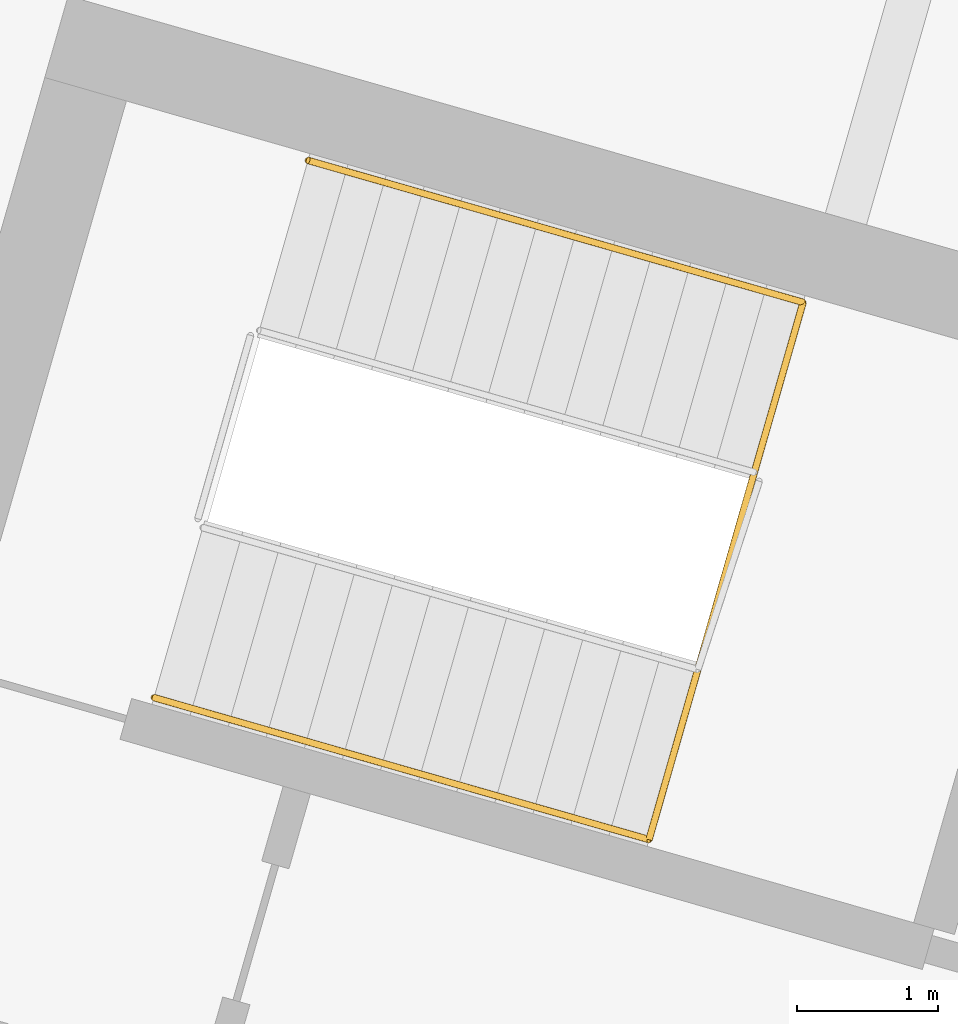
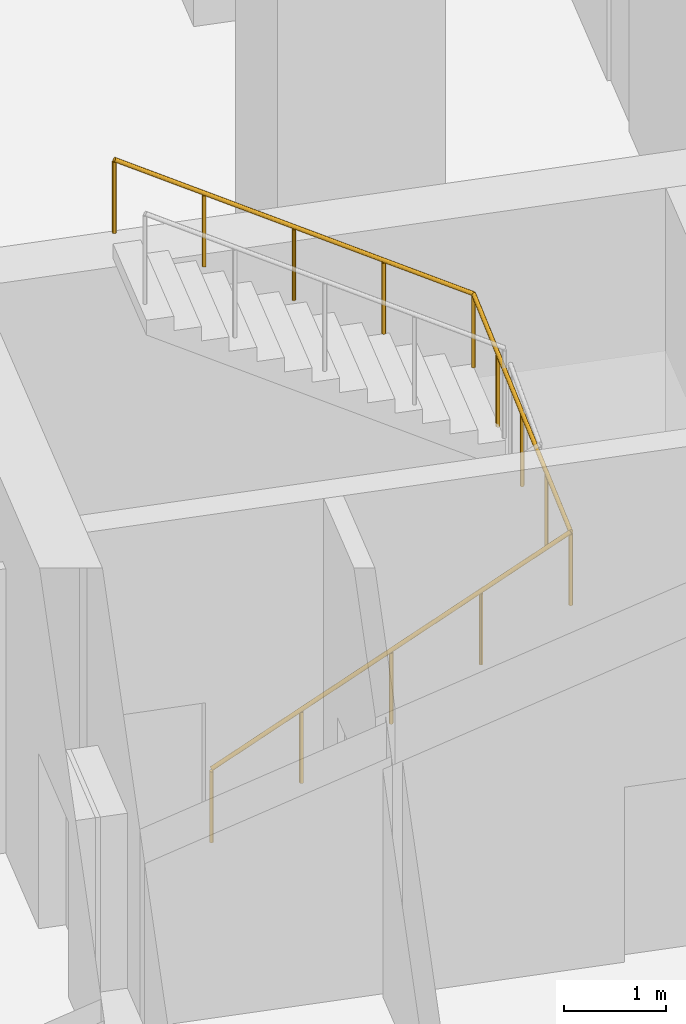
# One storey, part 13 of 13: 1 railing.
"""IFC4 building model written with IfcOpenShell, lengths in metres."""

import ifcopenshell
import ifcopenshell.guid

model = None  # the IFC model being written
_history = None  # IfcOwnerHistory: only IFC2X3 demands one
_inside = {}  # id of a spatial element -> (the spatial element, [elements in it])
_under = {}  # id of a project, library or spatial element -> (it, [spatial elements below it])
_declared = {}  # id of a project -> (the project, [libraries it declares])
_typed = {}  # id of a type object -> (the type object, [elements of that type])
_made_of = {}  # id of a material, layer set ... -> (it, [elements and type objects made of it])


def new_model(schema):
    """Start an empty IFC model of exactly this schema.

    Asked for "IFC4X3", IfcOpenShell would pick the latest addendum, in which some entities
    have other attributes; the version numbers below select the first issue.
    IFC2X3 requires an IfcOwnerHistory on every rooted entity: one is made here for all.
    """
    global model, _history
    if schema == "IFC4X3":
        model = ifcopenshell.file(schema_version=(4, 3, 0, 0))
    else:
        model = ifcopenshell.file(schema=schema)
    _inside.clear()
    _under.clear()
    _declared.clear()
    _typed.clear()
    _made_of.clear()
    _history = None
    if model.schema == "IFC2X3":
        org = make("IfcOrganization", Name="unknown")
        user = make(
            "IfcPersonAndOrganization",
            ThePerson=make("IfcPerson", FamilyName="unknown"),
            TheOrganization=org,
        )
        app = make(
            "IfcApplication",
            ApplicationDeveloper=org,
            Version="unknown",
            ApplicationFullName="unknown",
            ApplicationIdentifier="unknown",
        )
        _history = make(
            "IfcOwnerHistory",
            OwningUser=user,
            OwningApplication=app,
            ChangeAction="ADDED",
            CreationDate=0,
        )
    return model


def make(cls, **values):
    """One entity of the class cls with the attributes given. An attribute that is None is left unset."""
    return model.create_entity(
        cls, **{name: value for name, value in values.items() if value is not None}
    )


def rooted(cls, **values):
    """An entity with a GlobalId (a new one), such as an element, a storey or a relation."""
    return make(cls, GlobalId=ifcopenshell.guid.new(), OwnerHistory=_history, **values)


def si_unit(unit_type, name, prefix=None):
    """IfcSIUnit, for example si_unit("LENGTHUNIT", "METRE", prefix="MILLI")."""
    return make("IfcSIUnit", UnitType=unit_type, Prefix=prefix, Name=name)


def assignment(units):
    """IfcUnitAssignment: the units of a project."""
    return None if units is None else make("IfcUnitAssignment", Units=units)


def point(xyz):
    """IfcCartesianPoint."""
    return None if xyz is None else make("IfcCartesianPoint", Coordinates=xyz)


def direction(xyz):
    """IfcDirection."""
    return None if xyz is None else make("IfcDirection", DirectionRatios=xyz)


def frame(location, z_axis=None, x_axis=None):
    """IfcAxis2Placement3D, a coordinate frame: its origin and axes. An axis left out is left unset."""
    return make(
        "IfcAxis2Placement3D",
        Location=point(location),
        Axis=direction(z_axis),
        RefDirection=direction(x_axis),
    )


def frame_2d(location, x_axis=None):
    """IfcAxis2Placement2D, a coordinate frame in the plane: its origin and x axis."""
    return make(
        "IfcAxis2Placement2D", Location=point(location), RefDirection=direction(x_axis)
    )


def origin():
    """The frame at (0, 0, 0) with its axes left unset."""
    return frame((0.0, 0.0, 0.0))


def origin_2d():
    """The frame at (0, 0) in the plane with its x axis left unset."""
    return frame_2d((0.0, 0.0))


def place(relative_to, where):
    """IfcLocalPlacement: puts the frame where relative to a parent placement (None: the world)."""
    return make(
        "IfcLocalPlacement", PlacementRelTo=relative_to, RelativePlacement=where
    )


def context(
    kind, dimensions, precision=None, world=None, true_north=None, identifier=None
):
    """IfcGeometricRepresentationContext, for example the 3D "Model" context."""
    return make(
        "IfcGeometricRepresentationContext",
        ContextIdentifier=identifier,
        ContextType=kind,
        CoordinateSpaceDimension=dimensions,
        Precision=precision,
        WorldCoordinateSystem=world,
        TrueNorth=true_north,
    )


def subcontext(parent, identifier, kind, view, scale=None):
    """IfcGeometricRepresentationSubContext, for example "Body" below "Model"."""
    return make(
        "IfcGeometricRepresentationSubContext",
        ContextIdentifier=identifier,
        ContextType=kind,
        ParentContext=parent,
        TargetScale=scale,
        TargetView=view,
    )


def project(units=None, contexts=None):
    """IfcProject with its units and contexts."""
    return rooted(
        "IfcProject",
        Name="project",
        RepresentationContexts=contexts,
        UnitsInContext=assignment(units),
    )


def spatial(cls, under=None, at=None, **own):
    """A site, building, storey or space (cls), placed at a placement, below another one or the project."""
    s = rooted(cls, ObjectPlacement=at, **own)
    if under is not None:
        _under.setdefault(under.id(), (under, []))[1].append(s)
    return s


def profile(cls, at=None, kind="AREA", **sizes):
    """A parametric profile (cls). Its sizes go by their IFC names, for example OverallWidth=200.0."""
    return make(cls, ProfileType=kind, Position=at, **sizes)


def circle(**sizes):
    """IfcCircleProfileDef."""
    return profile("IfcCircleProfileDef", **sizes)


def extrude(swept, where, along, depth):
    """IfcExtrudedAreaSolid: the profile swept, set in the frame where, extruded along a direction by depth."""
    return make(
        "IfcExtrudedAreaSolid",
        SweptArea=swept,
        Position=where,
        ExtrudedDirection=direction(along),
        Depth=depth,
    )


def shape(context_of_items, identifier, shape_type, items):
    """IfcShapeRepresentation: the items that make up one representation, for example the "Body"."""
    return make(
        "IfcShapeRepresentation",
        ContextOfItems=context_of_items,
        RepresentationIdentifier=identifier,
        RepresentationType=shape_type,
        Items=items,
    )


def material(Name=None, Category=None):
    """IfcMaterial."""
    return make("IfcMaterial", Name=Name, Category=Category)


def made_of(thing, what):
    """Note that an element or type object is made of a material, layer set ...; save() writes the relation."""
    if what is not None:
        _made_of.setdefault(what.id(), (what, []))[1].append(thing)
    return thing


def type_object(cls, material=None, **own):
    """A type object (cls), such as IfcWallType, which elements share."""
    return made_of(rooted(cls, **own), material)


def element(
    cls,
    number,
    at=None,
    inside=None,
    cuts=None,
    type_object=None,
    material=None,
    context=None,
    identifier="Body",
    shape_type=None,
    held_by="IfcProductDefinitionShape",
    body=None,
    shapes=None,
    **own,
):
    """One element of the class cls, such as IfcWall. Its Tag is "e" and its number.

    at: its placement. inside: the storey or other place that contains it. cuts: it is an
    opening in that element (IfcRelVoidsElement). A single representation is given by context,
    identifier, shape_type and body (its items); several are given by shapes. held_by: the class
    of the entity that holds the representations. save() writes the other relations.
    """
    e = rooted(cls, Tag="e%d" % number, ObjectPlacement=at, **own)
    if body is not None:
        shapes = [shape(context, identifier, shape_type, body)]
    if shapes is not None:
        e.Representation = make(held_by, Representations=shapes)
    if inside is not None:
        _inside.setdefault(inside.id(), (inside, []))[1].append(e)
    if cuts is not None:
        rooted(
            "IfcRelVoidsElement", RelatingBuildingElement=cuts, RelatedOpeningElement=e
        )
    if type_object is not None:
        _typed.setdefault(type_object.id(), (type_object, []))[1].append(e)
    return made_of(e, material)


def aggregate(whole, parts):
    """IfcRelAggregates: a whole, such as a stair, and the parts it consists of."""
    return rooted("IfcRelAggregates", RelatingObject=whole, RelatedObjects=parts)


def save(model, path):
    """Write the relations noted so far, then the file.

    IfcRelAggregates (storeys below a building ...), IfcRelContainedInSpatialStructure (elements
    in a storey), IfcRelDefinesByType, IfcRelAssociatesMaterial and IfcRelDeclares: one each for
    every whole, place, type object, material and project.
    """
    for whole, parts in _under.values():
        aggregate(whole, parts)
    for where, things in _inside.values():
        rooted(
            "IfcRelContainedInSpatialStructure",
            RelatedElements=things,
            RelatingStructure=where,
        )
    for kind, things in _typed.values():
        rooted("IfcRelDefinesByType", RelatedObjects=things, RelatingType=kind)
    for what, things in _made_of.values():
        rooted("IfcRelAssociatesMaterial", RelatedObjects=things, RelatingMaterial=what)
    for by, libraries in _declared.values():
        rooted("IfcRelDeclares", RelatingContext=by, RelatedDefinitions=libraries)
    model.write(path)


model = new_model("IFC4")

# Units and contexts
model_context = context("Model", 3, precision=1e-05, world=origin(), true_north=direction((0.0, 1.0)))
body_context = subcontext(model_context, "Body", "Model", "MODEL_VIEW")
ifc_project = project(units=[si_unit("LENGTHUNIT", "METRE"), si_unit("AREAUNIT", "SQUARE_METRE"), si_unit("VOLUMEUNIT", "CUBIC_METRE"), si_unit("PLANEANGLEUNIT", "RADIAN"), si_unit("MASSUNIT", "GRAM", prefix="KILO")], contexts=[model_context])

# Site, building, storey
site_placement = place(None, origin())
site = spatial("IfcSite", under=ifc_project, at=site_placement, CompositionType="ELEMENT")
building_placement = place(site_placement, origin())
building = spatial("IfcBuilding", under=site, at=building_placement, Name="Binnacle Exchange Tower", CompositionType="ELEMENT")
storey_placement = place(building_placement, frame((0.0, 0.0, -4.800048828125)))
storey = spatial("IfcBuildingStorey", under=building, at=storey_placement, Name="B1", CompositionType="ELEMENT", Elevation=-4.800048828125)

# Railing
ifc_material = material(Name="Steel handrail", Category="steel")
railing_type = type_object("IfcRailingType", Name="STAIR HANDRAIL 900", PredefinedType="HANDRAIL", material=ifc_material)
railing_placement = place(storey_placement, frame((20.7421875, 55.5087890625, 0.17138671875)))
element("IfcRailing", 1, at=railing_placement, inside=storey, type_object=railing_type, Name="B1 STD1 stair handrail 1", PredefinedType="HANDRAIL", context=body_context, shape_type="SweptSolid", body=[
    extrude(circle(Radius=0.02392578125, at=origin_2d()), frame((0.0, 0.0, 0.8759765625), z_axis=(0.819773588446, -0.235103583038, 0.522204527871), x_axis=(0.27567775811, 0.961250109848, 0.0)), (0.0, 0.0, 1.0), 4.26806640625),
    extrude(circle(Radius=0.02392578125, at=origin_2d()), frame((3.498779296875, -1.00341796875, 3.1044921875), z_axis=(0.275392491312, 0.960354129458, 0.043346531144), x_axis=(-0.961257617982, 0.275651576943, 0.0)), (0.0, 0.0, 1.0), 3.953857421875),
    extrude(circle(Radius=0.02392578125, at=origin_2d()), frame((4.587646484375, 2.793701171875, 3.27587890625), z_axis=(-0.819827857836, 0.235045539202, 0.522145456763), x_axis=(-0.275598008994, -0.961272977587, 0.0)), (0.0, 0.0, 1.0), 4.26806640625),
    extrude(circle(Radius=0.02099609375, at=origin_2d()), origin(), (0.0, 0.0, 1.0), 0.851806640625),
    extrude(circle(Radius=0.02099609375, at=origin_2d()), frame((0.874755859375, -0.2509765625, 0.55712890625)), (0.0, 0.0, 1.0), 0.851806640625),
    extrude(circle(Radius=0.02099609375, at=origin_2d()), frame((1.74951171875, -0.501708984375, 1.1142578125)), (0.0, 0.0, 1.0), 0.851806640625),
    extrude(circle(Radius=0.02099609375, at=origin_2d()), frame((2.6240234375, -0.75244140625, 1.671630859375)), (0.0, 0.0, 1.0), 0.851806640625),
    extrude(circle(Radius=0.02099609375, at=origin_2d()), frame((3.498779296875, -1.00341796875, 2.228759765625)), (0.0, 0.0, 1.0), 0.851806640625),
    extrude(circle(Radius=0.02099609375, at=origin_2d()), frame((3.77099609375, -0.05419921875, 2.271484375)), (0.0, 0.0, 1.0), 0.851806640625),
    extrude(circle(Radius=0.02099609375, at=origin_2d()), frame((4.043212890625, 0.89501953125, 2.314453125)), (0.0, 0.0, 1.0), 0.851806640625),
    extrude(circle(Radius=0.02099609375, at=origin_2d()), frame((4.3154296875, 1.844482421875, 2.357421875)), (0.0, 0.0, 1.0), 0.851806640625),
    extrude(circle(Radius=0.02099609375, at=origin_2d()), frame((4.587646484375, 2.793701171875, 2.400146484375)), (0.0, 0.0, 1.0), 0.851806640625),
    extrude(circle(Radius=0.02099609375, at=origin_2d()), frame((3.712890625, 3.04443359375, 2.957275390625)), (0.0, 0.0, 1.0), 0.851806640625),
    extrude(circle(Radius=0.02099609375, at=origin_2d()), frame((2.838134765625, 3.29541015625, 3.514404296875)), (0.0, 0.0, 1.0), 0.851806640625),
    extrude(circle(Radius=0.02099609375, at=origin_2d()), frame((1.96337890625, 3.546142578125, 4.071533203125)), (0.0, 0.0, 1.0), 0.851806640625),
    extrude(circle(Radius=0.02099609375, at=origin_2d()), frame((1.088623046875, 3.796875, 4.628662109375)), (0.0, 0.0, 1.0), 0.851806640625),
])

save(model, "model.ifc")
